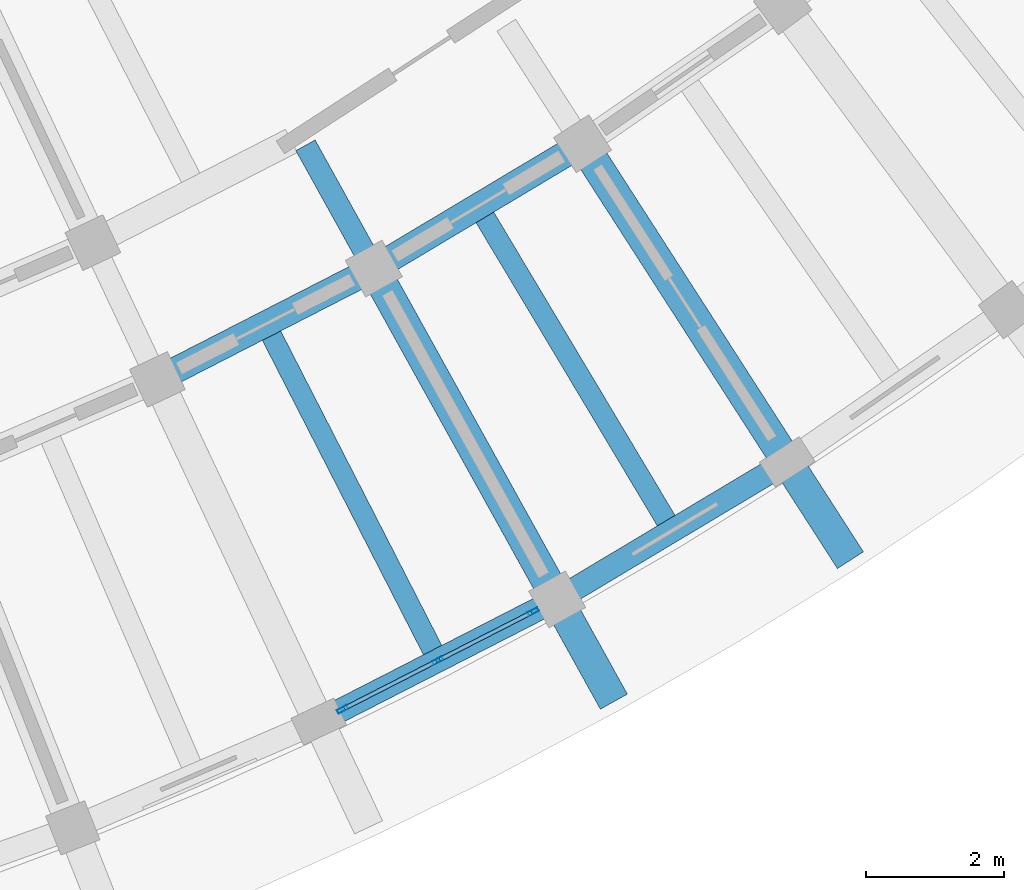
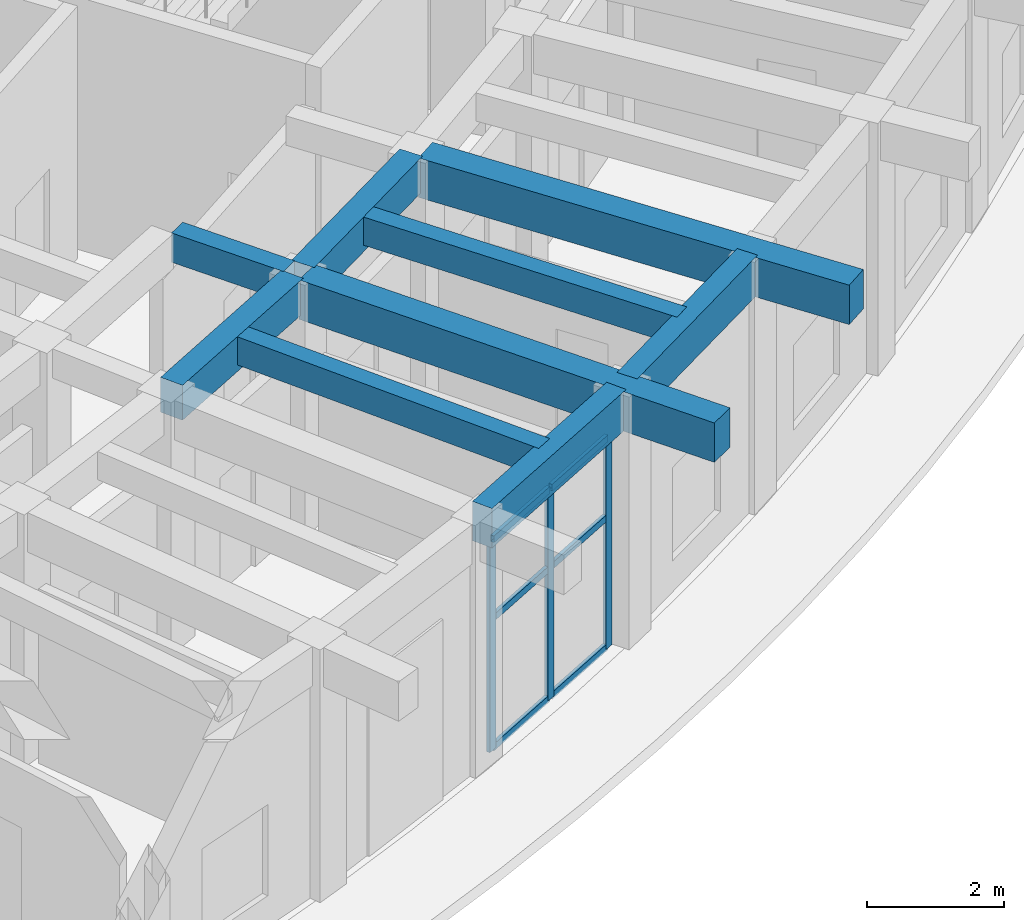
# One storey, part 53 of 132: 9 beams, 9 members, 1 element without a shape of its own.
"""IFC4 building model written with IfcOpenShell, lengths in metres."""

import ifcopenshell
import ifcopenshell.guid

model = None  # the IFC model being written
_history = None  # IfcOwnerHistory: only IFC2X3 demands one
_inside = {}  # id of a spatial element -> (the spatial element, [elements in it])
_under = {}  # id of a project, library or spatial element -> (it, [spatial elements below it])
_declared = {}  # id of a project -> (the project, [libraries it declares])
_typed = {}  # id of a type object -> (the type object, [elements of that type])
_made_of = {}  # id of a material, layer set ... -> (it, [elements and type objects made of it])


def new_model(schema):
    """Start an empty IFC model of exactly this schema.

    Asked for "IFC4X3", IfcOpenShell would pick the latest addendum, in which some entities
    have other attributes; the version numbers below select the first issue.
    IFC2X3 requires an IfcOwnerHistory on every rooted entity: one is made here for all.
    """
    global model, _history
    if schema == "IFC4X3":
        model = ifcopenshell.file(schema_version=(4, 3, 0, 0))
    else:
        model = ifcopenshell.file(schema=schema)
    _inside.clear()
    _under.clear()
    _declared.clear()
    _typed.clear()
    _made_of.clear()
    _history = None
    if model.schema == "IFC2X3":
        org = make("IfcOrganization", Name="unknown")
        user = make(
            "IfcPersonAndOrganization",
            ThePerson=make("IfcPerson", FamilyName="unknown"),
            TheOrganization=org,
        )
        app = make(
            "IfcApplication",
            ApplicationDeveloper=org,
            Version="unknown",
            ApplicationFullName="unknown",
            ApplicationIdentifier="unknown",
        )
        _history = make(
            "IfcOwnerHistory",
            OwningUser=user,
            OwningApplication=app,
            ChangeAction="ADDED",
            CreationDate=0,
        )
    return model


def make(cls, **values):
    """One entity of the class cls with the attributes given. An attribute that is None is left unset."""
    return model.create_entity(
        cls, **{name: value for name, value in values.items() if value is not None}
    )


def rooted(cls, **values):
    """An entity with a GlobalId (a new one), such as an element, a storey or a relation."""
    return make(cls, GlobalId=ifcopenshell.guid.new(), OwnerHistory=_history, **values)


def si_unit(unit_type, name, prefix=None):
    """IfcSIUnit, for example si_unit("LENGTHUNIT", "METRE", prefix="MILLI")."""
    return make("IfcSIUnit", UnitType=unit_type, Prefix=prefix, Name=name)


def assignment(units):
    """IfcUnitAssignment: the units of a project."""
    return None if units is None else make("IfcUnitAssignment", Units=units)


def point(xyz):
    """IfcCartesianPoint."""
    return None if xyz is None else make("IfcCartesianPoint", Coordinates=xyz)


def direction(xyz):
    """IfcDirection."""
    return None if xyz is None else make("IfcDirection", DirectionRatios=xyz)


def frame(location, z_axis=None, x_axis=None):
    """IfcAxis2Placement3D, a coordinate frame: its origin and axes. An axis left out is left unset."""
    return make(
        "IfcAxis2Placement3D",
        Location=point(location),
        Axis=direction(z_axis),
        RefDirection=direction(x_axis),
    )


def frame_2d(location, x_axis=None):
    """IfcAxis2Placement2D, a coordinate frame in the plane: its origin and x axis."""
    return make(
        "IfcAxis2Placement2D", Location=point(location), RefDirection=direction(x_axis)
    )


def origin():
    """The frame at (0, 0, 0) with its axes left unset."""
    return frame((0.0, 0.0, 0.0))


def origin_2d():
    """The frame at (0, 0) in the plane with its x axis left unset."""
    return frame_2d((0.0, 0.0))


def place(relative_to, where):
    """IfcLocalPlacement: puts the frame where relative to a parent placement (None: the world)."""
    return make(
        "IfcLocalPlacement", PlacementRelTo=relative_to, RelativePlacement=where
    )


def context(
    kind, dimensions, precision=None, world=None, true_north=None, identifier=None
):
    """IfcGeometricRepresentationContext, for example the 3D "Model" context."""
    return make(
        "IfcGeometricRepresentationContext",
        ContextIdentifier=identifier,
        ContextType=kind,
        CoordinateSpaceDimension=dimensions,
        Precision=precision,
        WorldCoordinateSystem=world,
        TrueNorth=true_north,
    )


def subcontext(parent, identifier, kind, view, scale=None):
    """IfcGeometricRepresentationSubContext, for example "Body" below "Model"."""
    return make(
        "IfcGeometricRepresentationSubContext",
        ContextIdentifier=identifier,
        ContextType=kind,
        ParentContext=parent,
        TargetScale=scale,
        TargetView=view,
    )


def project(units=None, contexts=None):
    """IfcProject with its units and contexts."""
    return rooted(
        "IfcProject",
        Name="project",
        RepresentationContexts=contexts,
        UnitsInContext=assignment(units),
    )


def spatial(cls, under=None, at=None, **own):
    """A site, building, storey or space (cls), placed at a placement, below another one or the project."""
    s = rooted(cls, ObjectPlacement=at, **own)
    if under is not None:
        _under.setdefault(under.id(), (under, []))[1].append(s)
    return s


def profile(cls, at=None, kind="AREA", **sizes):
    """A parametric profile (cls). Its sizes go by their IFC names, for example OverallWidth=200.0."""
    return make(cls, ProfileType=kind, Position=at, **sizes)


def rectangle(**sizes):
    """IfcRectangleProfileDef."""
    return profile("IfcRectangleProfileDef", **sizes)


def hollow_rectangle(**sizes):
    """IfcRectangleHollowProfileDef."""
    return profile("IfcRectangleHollowProfileDef", **sizes)


def extrude(swept, where, along, depth):
    """IfcExtrudedAreaSolid: the profile swept, set in the frame where, extruded along a direction by depth."""
    return make(
        "IfcExtrudedAreaSolid",
        SweptArea=swept,
        Position=where,
        ExtrudedDirection=direction(along),
        Depth=depth,
    )


def shape(context_of_items, identifier, shape_type, items):
    """IfcShapeRepresentation: the items that make up one representation, for example the "Body"."""
    return make(
        "IfcShapeRepresentation",
        ContextOfItems=context_of_items,
        RepresentationIdentifier=identifier,
        RepresentationType=shape_type,
        Items=items,
    )


def material(Name=None, Category=None):
    """IfcMaterial."""
    return make("IfcMaterial", Name=Name, Category=Category)


def material_profile(
    of_material, cross_section, Name=None, Category=None, Priority=None
):
    """IfcMaterialProfile: a cross section and its material."""
    return make(
        "IfcMaterialProfile",
        Name=Name,
        Material=of_material,
        Profile=cross_section,
        Priority=Priority,
        Category=Category,
    )


def profile_set(profiles, Name=None, composite=None):
    """IfcMaterialProfileSet."""
    return make(
        "IfcMaterialProfileSet",
        Name=Name,
        MaterialProfiles=profiles,
        CompositeProfile=composite,
    )


def made_of(thing, what):
    """Note that an element or type object is made of a material, layer set ...; save() writes the relation."""
    if what is not None:
        _made_of.setdefault(what.id(), (what, []))[1].append(thing)
    return thing


def type_object(cls, material=None, **own):
    """A type object (cls), such as IfcWallType, which elements share."""
    return made_of(rooted(cls, **own), material)


def element(
    cls,
    number,
    at=None,
    inside=None,
    cuts=None,
    type_object=None,
    material=None,
    context=None,
    identifier="Body",
    shape_type=None,
    held_by="IfcProductDefinitionShape",
    body=None,
    shapes=None,
    **own,
):
    """One element of the class cls, such as IfcWall. Its Tag is "e" and its number.

    at: its placement. inside: the storey or other place that contains it. cuts: it is an
    opening in that element (IfcRelVoidsElement). A single representation is given by context,
    identifier, shape_type and body (its items); several are given by shapes. held_by: the class
    of the entity that holds the representations. save() writes the other relations.
    """
    e = rooted(cls, Tag="e%d" % number, ObjectPlacement=at, **own)
    if body is not None:
        shapes = [shape(context, identifier, shape_type, body)]
    if shapes is not None:
        e.Representation = make(held_by, Representations=shapes)
    if inside is not None:
        _inside.setdefault(inside.id(), (inside, []))[1].append(e)
    if cuts is not None:
        rooted(
            "IfcRelVoidsElement", RelatingBuildingElement=cuts, RelatedOpeningElement=e
        )
    if type_object is not None:
        _typed.setdefault(type_object.id(), (type_object, []))[1].append(e)
    return made_of(e, material)


def aggregate(whole, parts):
    """IfcRelAggregates: a whole, such as a stair, and the parts it consists of."""
    return rooted("IfcRelAggregates", RelatingObject=whole, RelatedObjects=parts)


def save(model, path):
    """Write the relations noted so far, then the file.

    IfcRelAggregates (storeys below a building ...), IfcRelContainedInSpatialStructure (elements
    in a storey), IfcRelDefinesByType, IfcRelAssociatesMaterial and IfcRelDeclares: one each for
    every whole, place, type object, material and project.
    """
    for whole, parts in _under.values():
        aggregate(whole, parts)
    for where, things in _inside.values():
        rooted(
            "IfcRelContainedInSpatialStructure",
            RelatedElements=things,
            RelatingStructure=where,
        )
    for kind, things in _typed.values():
        rooted("IfcRelDefinesByType", RelatedObjects=things, RelatingType=kind)
    for what, things in _made_of.values():
        rooted("IfcRelAssociatesMaterial", RelatedObjects=things, RelatingMaterial=what)
    for by, libraries in _declared.values():
        rooted("IfcRelDeclares", RelatingContext=by, RelatedDefinitions=libraries)
    model.write(path)


model = new_model("IFC4")

# Units and contexts
model_context = context("Model", 3, precision=1e-05, world=origin(), true_north=direction((0.0, 1.0)))
body_context = subcontext(model_context, "Body", "Model", "MODEL_VIEW")
ifc_project = project(units=[si_unit("LENGTHUNIT", "METRE"), si_unit("AREAUNIT", "SQUARE_METRE"), si_unit("VOLUMEUNIT", "CUBIC_METRE"), si_unit("PLANEANGLEUNIT", "RADIAN"), si_unit("MASSUNIT", "GRAM", prefix="KILO")], contexts=[model_context])

# Site, building, storey
site_placement = place(None, origin())
site = spatial("IfcSite", under=ifc_project, at=site_placement, CompositionType="ELEMENT")
building_placement = place(site_placement, origin())
building = spatial("IfcBuilding", under=site, at=building_placement, Name="Tanwirah Colonnade Gardens", CompositionType="ELEMENT")
storey_placement = place(building_placement, origin())
storey = spatial("IfcBuildingStorey", under=building, at=storey_placement, Name="L00", CompositionType="ELEMENT", Elevation=0.0)

# Beams
ifc_material_1 = material(Name="Precast concrete C40/50", Category="concrete")
ifc_material_profile_1 = material_profile(ifc_material_1, rectangle(XDim=0.320068359375, YDim=0.52001953125, at=origin_2d()), Name="PC-BM 320x520")
ifc_profile_set_1 = profile_set([ifc_material_profile_1], Name="Precast concrete C40/50")
beam_type_1 = type_object("IfcBeamType", Name="BM-PC320", PredefinedType="BEAM", material=ifc_profile_set_1)
beam_1_placement = place(storey_placement, frame((146.210205078125, 19.019775390625, 4.22509765625), z_axis=(0.484791759649, -0.874629607192, 0.0), x_axis=(0.874629607192, 0.484791759649, 0.0)))
element("IfcBeam", 1, at=beam_1_placement, inside=storey, type_object=beam_type_1, Name="Block D L00 Corridor Tie Beam 4", PredefinedType="BEAM", context=body_context, shape_type="SweptSolid", body=[
    extrude(rectangle(XDim=0.320068359375, YDim=0.52001953125, at=origin_2d()), origin(), (0.0, 0.0, 1.0), 1.900146484375),
])
ifc_material_profile_2 = material_profile(ifc_material_1, rectangle(XDim=0.3798828125, YDim=0.6201171875, at=origin_2d()), Name="PC-BM 380x620")
ifc_profile_set_2 = profile_set([ifc_material_profile_2], Name="Precast concrete C40/50")
beam_type_2 = type_object("IfcBeamType", Name="BM-PC380", PredefinedType="BEAM", material=ifc_profile_set_2)
beam_2_placement = place(storey_placement, frame((144.189453125, 15.6826171875, 4.175048828125), z_axis=(0.890025451153, 0.45591084249, 0.0), x_axis=(-0.45591084249, 0.890025451153, 0.0)))
element("IfcBeam", 2, at=beam_2_placement, inside=storey, type_object=beam_type_2, Name="Block D L00 Circumferential Beam 3-R2", PredefinedType="BEAM", context=body_context, shape_type="SweptSolid", body=[
    extrude(rectangle(XDim=0.3798828125, YDim=0.6201171875, at=origin_2d()), origin(), (0.0, 0.0, 1.0), 3.237060546875),
])
beam_3_placement = place(storey_placement, frame((147.332763671875, 17.3037109375, 4.175048828125), z_axis=(0.858270604513, 0.513197398111, 0.0), x_axis=(-0.513197398111, 0.858270604513, 0.0)))
element("IfcBeam", 3, at=beam_3_placement, inside=storey, type_object=beam_type_2, Name="Block D L00 Circumferential Beam 4-R2", PredefinedType="BEAM", context=body_context, shape_type="SweptSolid", body=[
    extrude(rectangle(XDim=0.3798828125, YDim=0.6201171875, at=origin_2d()), origin(), (0.0, 0.0, 1.0), 3.23681640625),
])
ifc_material_2 = material(Name="Precast concrete C45/55", Category="concrete")
ifc_material_profile_3 = material_profile(ifc_material_2, rectangle(XDim=0.449951171875, YDim=0.699951171875, at=origin_2d()), Name="PC-BM 450x700")
ifc_profile_set_3 = profile_set([ifc_material_profile_3], Name="Precast concrete C45/55")
beam_type_3 = type_object("IfcBeamType", Name="BM-PC450", PredefinedType="BEAM", material=ifc_profile_set_3)
beam_4_placement = place(storey_placement, frame((147.276611328125, 17.095703125, 4.135009765625), z_axis=(0.484804753745, -0.874622404667, 0.0), x_axis=(0.874622404667, 0.484804753745, 0.0)))
element("IfcBeam", 4, at=beam_4_placement, inside=storey, type_object=beam_type_3, Name="Block D L00 Outer Radial Precast Girder 4", PredefinedType="BEAM", context=body_context, shape_type="SweptSolid", body=[
    extrude(rectangle(XDim=0.449951171875, YDim=0.699951171875, at=origin_2d()), origin(), (0.0, 0.0, 1.0), 7.05029296875),
])
beam_5_placement = place(storey_placement, frame((150.32080078125, 18.915771484375, 4.135009765625), z_axis=(0.540976349149, -0.841037805132, 0.0), x_axis=(0.841037805132, 0.540976349149, 0.0)))
element("IfcBeam", 5, at=beam_5_placement, inside=storey, type_object=beam_type_3, Name="Block D L00 Outer Radial Precast Girder 5", PredefinedType="BEAM", context=body_context, shape_type="SweptSolid", body=[
    extrude(rectangle(XDim=0.449951171875, YDim=0.699951171875, at=origin_2d()), origin(), (0.0, 0.0, 1.0), 7.050048828125),
])

# Curtain wall, members
ifc_material_3 = material(Name="Bronze-anodised aluminium and solar-control low-E glass", Category="aluminium")
curtain_wall_type = type_object("IfcCurtainWallType", Name="CW-LOB", PredefinedType="NOTDEFINED", material=ifc_material_3)
curtain_wall_placement = place(storey_placement, origin())
curtain_wall = element("IfcCurtainWall", 6, at=curtain_wall_placement, inside=storey, type_object=curtain_wall_type, Name="Curtain Wall CW-D-L00-OUT-03", PredefinedType="NOTDEFINED")
ifc_material_4 = material(Name="Bronze-anodised aluminium", Category="aluminium")
ifc_material_profile_4 = material_profile(ifc_material_4, hollow_rectangle(XDim=0.06005859375, YDim=0.159912109375, WallThickness=0.00390625, at=origin_2d()), Name="CW-MUL 60x160x4")
ifc_profile_set_4 = profile_set([ifc_material_profile_4], Name="Bronze-anodised aluminium")
member_type_1 = type_object("IfcMemberType", Name="CWM-60x160", PredefinedType="MULLION", material=ifc_profile_set_4)
member_1_placement = place(storey_placement, frame((146.749267578125, 10.817626953125, 0.0), z_axis=(0.0, 0.0, 1.0), x_axis=(-0.455932978269, 0.890014111869, 0.0)))
member_1 = element("IfcMember", 7, at=member_1_placement, type_object=member_type_1, Name="CW-LOB mullion 1", PredefinedType="MULLION", context=body_context, shape_type="SweptSolid", body=[
    extrude(hollow_rectangle(XDim=0.06005859375, YDim=0.159912109375, WallThickness=0.00390625, at=origin_2d()), origin(), (0.0, 0.0, 1.0), 3.7548828125),
])
member_2_placement = place(storey_placement, frame((148.13623046875, 11.528076171875, 0.0), z_axis=(0.0, 0.0, 1.0), x_axis=(-0.455932978269, 0.890014111869, 0.0)))
member_2 = element("IfcMember", 8, at=member_2_placement, type_object=member_type_1, Name="CW-LOB mullion 2", PredefinedType="MULLION", context=body_context, shape_type="SweptSolid", body=[
    extrude(hollow_rectangle(XDim=0.06005859375, YDim=0.159912109375, WallThickness=0.00390625, at=origin_2d()), origin(), (0.0, 0.0, 1.0), 3.7548828125),
])
member_3_placement = place(storey_placement, frame((149.523193359375, 12.238525390625, 0.0), z_axis=(0.0, 0.0, 1.0), x_axis=(-0.455932978269, 0.890014111869, 0.0)))
member_3 = element("IfcMember", 9, at=member_3_placement, type_object=member_type_1, Name="CW-LOB mullion 3", PredefinedType="MULLION", context=body_context, shape_type="SweptSolid", body=[
    extrude(hollow_rectangle(XDim=0.06005859375, YDim=0.159912109375, WallThickness=0.00390625, at=origin_2d()), origin(), (0.0, 0.0, 1.0), 3.7548828125),
])
ifc_material_profile_5 = material_profile(ifc_material_4, hollow_rectangle(XDim=0.06005859375, YDim=0.1201171875, WallThickness=0.00390625, at=origin_2d()), Name="CW-TRN 60x120x4")
ifc_profile_set_5 = profile_set([ifc_material_profile_5], Name="Bronze-anodised aluminium")
member_type_2 = type_object("IfcMemberType", Name="CWT-60x120", PredefinedType="USERDEFINED", material=ifc_profile_set_5)
member_4_placement = place(storey_placement, frame((146.77587890625, 10.831298828125, 0.030029296875), z_axis=(0.890051426442, 0.455860130182, 0.0), x_axis=(-0.455860130182, 0.890051426442, 0.0)))
member_4 = element("IfcMember", 10, at=member_4_placement, type_object=member_type_2, Name="CW-LOB transom 1.1", ObjectType="TRANSOM", PredefinedType="USERDEFINED", context=body_context, shape_type="SweptSolid", body=[
    extrude(hollow_rectangle(XDim=0.06005859375, YDim=0.1201171875, WallThickness=0.00390625, at=origin_2d()), origin(), (0.0, 0.0, 1.0), 1.49853515625),
])
member_5_placement = place(storey_placement, frame((146.77587890625, 10.831298828125, 2.328125), z_axis=(0.890051426442, 0.455860130182, 0.0), x_axis=(-0.455860130182, 0.890051426442, 0.0)))
member_5 = element("IfcMember", 11, at=member_5_placement, type_object=member_type_2, Name="CW-LOB transom 1.2", ObjectType="TRANSOM", PredefinedType="USERDEFINED", context=body_context, shape_type="SweptSolid", body=[
    extrude(hollow_rectangle(XDim=0.06005859375, YDim=0.1201171875, WallThickness=0.00390625, at=origin_2d()), origin(), (0.0, 0.0, 1.0), 1.49853515625),
])
member_6_placement = place(storey_placement, frame((146.77587890625, 10.831298828125, 3.72509765625), z_axis=(0.890051426442, 0.455860130182, 0.0), x_axis=(-0.455860130182, 0.890051426442, 0.0)))
member_6 = element("IfcMember", 12, at=member_6_placement, type_object=member_type_2, Name="CW-LOB transom 1.3", ObjectType="TRANSOM", PredefinedType="USERDEFINED", context=body_context, shape_type="SweptSolid", body=[
    extrude(hollow_rectangle(XDim=0.06005859375, YDim=0.1201171875, WallThickness=0.00390625, at=origin_2d()), origin(), (0.0, 0.0, 1.0), 1.49853515625),
])
member_7_placement = place(storey_placement, frame((148.1630859375, 11.541748046875, 0.030029296875), z_axis=(0.890017562181, 0.455926242948, 0.0), x_axis=(-0.455926242948, 0.890017562181, 0.0)))
member_7 = element("IfcMember", 13, at=member_7_placement, type_object=member_type_2, Name="CW-LOB transom 2.1", ObjectType="TRANSOM", PredefinedType="USERDEFINED", context=body_context, shape_type="SweptSolid", body=[
    extrude(hollow_rectangle(XDim=0.06005859375, YDim=0.1201171875, WallThickness=0.00390625, at=origin_2d()), origin(), (0.0, 0.0, 1.0), 1.498291015625),
])
member_8_placement = place(storey_placement, frame((148.1630859375, 11.541748046875, 2.328125), z_axis=(0.890017562181, 0.455926242948, 0.0), x_axis=(-0.455926242948, 0.890017562181, 0.0)))
member_8 = element("IfcMember", 14, at=member_8_placement, type_object=member_type_2, Name="CW-LOB transom 2.2", ObjectType="TRANSOM", PredefinedType="USERDEFINED", context=body_context, shape_type="SweptSolid", body=[
    extrude(hollow_rectangle(XDim=0.06005859375, YDim=0.1201171875, WallThickness=0.00390625, at=origin_2d()), origin(), (0.0, 0.0, 1.0), 1.498291015625),
])
member_9_placement = place(storey_placement, frame((148.1630859375, 11.541748046875, 3.72509765625), z_axis=(0.890017562181, 0.455926242948, 0.0), x_axis=(-0.455926242948, 0.890017562181, 0.0)))
member_9 = element("IfcMember", 15, at=member_9_placement, type_object=member_type_2, Name="CW-LOB transom 2.3", ObjectType="TRANSOM", PredefinedType="USERDEFINED", context=body_context, shape_type="SweptSolid", body=[
    extrude(hollow_rectangle(XDim=0.06005859375, YDim=0.1201171875, WallThickness=0.00390625, at=origin_2d()), origin(), (0.0, 0.0, 1.0), 1.498291015625),
])
aggregate(curtain_wall, [member_1, member_2, member_3, member_4, member_5, member_6, member_7, member_8, member_9])

# Beams
ifc_material_profile_6 = material_profile(ifc_material_1, rectangle(XDim=0.300048828125, YDim=0.5, at=origin_2d()), Name="PC-JST 300x500")
ifc_profile_set_6 = profile_set([ifc_material_profile_6], Name="Precast concrete C40/50")
beam_type_4 = type_object("IfcBeamType", Name="JST-PC300", PredefinedType="JOIST", material=ifc_profile_set_6)
for number, where, z_axis, x_axis, name in (
    (16, (145.697998046875, 16.287841796875, 4.235107421875), (0.455936851617, -0.890012127635, 0.0), (0.890012127635, 0.455936851617, 0.0), "Block D L00 Precast Floor Joist 3"),
    (17, (148.79833984375, 18.006591796875, 4.235107421875), (0.513157303227, -0.858294577721, 0.0), (0.858294577721, 0.513157303227, 0.0), "Block D L00 Precast Floor Joist 4"),
):
    element("IfcBeam", number, at=place(storey_placement, frame(where, z_axis=z_axis, x_axis=x_axis)), inside=storey, type_object=beam_type_4, Name=name, PredefinedType="JOIST", context=body_context, shape_type="SweptSolid", body=[
        extrude(rectangle(XDim=0.300048828125, YDim=0.5, at=origin_2d()), origin(), (0.0, 0.0, 1.0), 5.260009765625),
    ])
ifc_material_profile_7 = material_profile(ifc_material_2, rectangle(XDim=0.340087890625, YDim=0.699951171875, at=origin_2d()), Name="PC-SP 340x700")
ifc_profile_set_7 = profile_set([ifc_material_profile_7], Name="Precast concrete C45/55")
beam_type_5 = type_object("IfcBeamType", Name="SP-PC340", PredefinedType="SPANDREL", material=ifc_profile_set_7)
for number, where, z_axis, x_axis, name in (
    (18, (146.53564453125, 10.7080078125, 4.135009765625), (0.890013134589, 0.455934885985, 0.0), (-0.455934885985, 0.890013134589, 0.0), "Block D L00 Circumferential Beam 3-R3"),
    (19, (149.999267578125, 12.493408203125, 4.135009765625), (0.858282522832, 0.513177465407, 0.0), (-0.513177465407, 0.858282522832, 0.0), "Block D L00 Circumferential Beam 4-R3"),
):
    element("IfcBeam", number, at=place(storey_placement, frame(where, z_axis=z_axis, x_axis=x_axis)), inside=storey, type_object=beam_type_5, Name=name, PredefinedType="SPANDREL", context=body_context, shape_type="SweptSolid", body=[
        extrude(rectangle(XDim=0.340087890625, YDim=0.699951171875, at=origin_2d()), origin(), (0.0, 0.0, 1.0), 3.5966796875),
    ])

save(model, "model.ifc")
